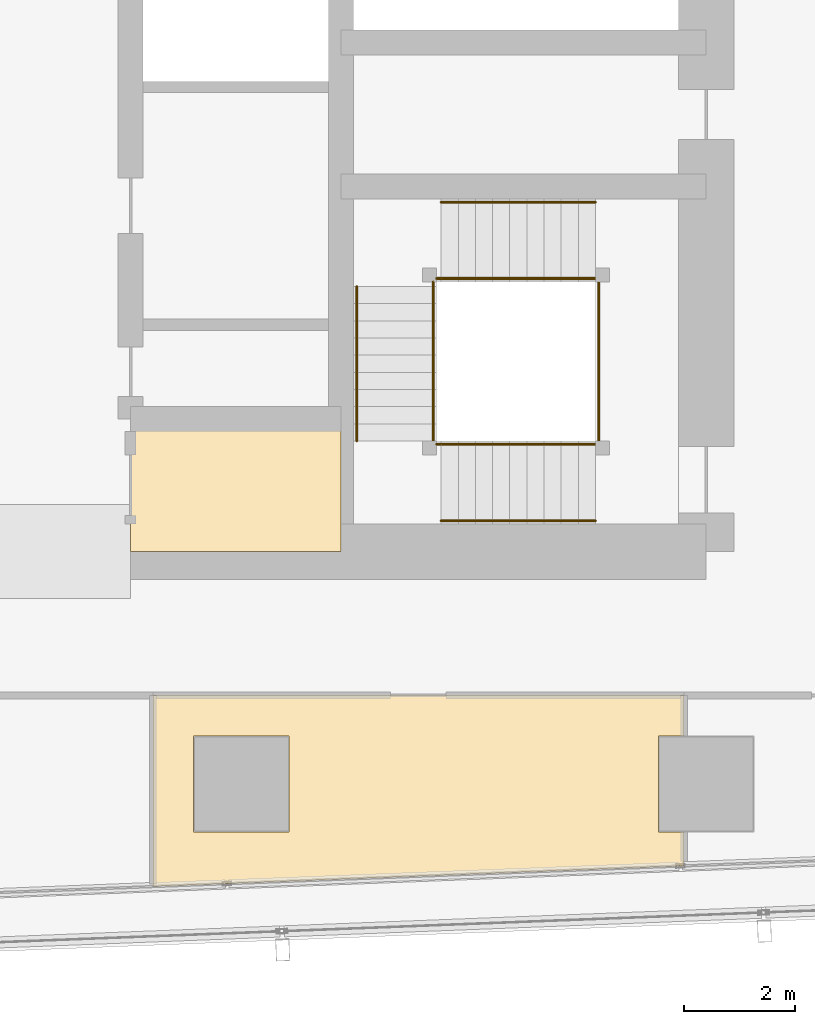
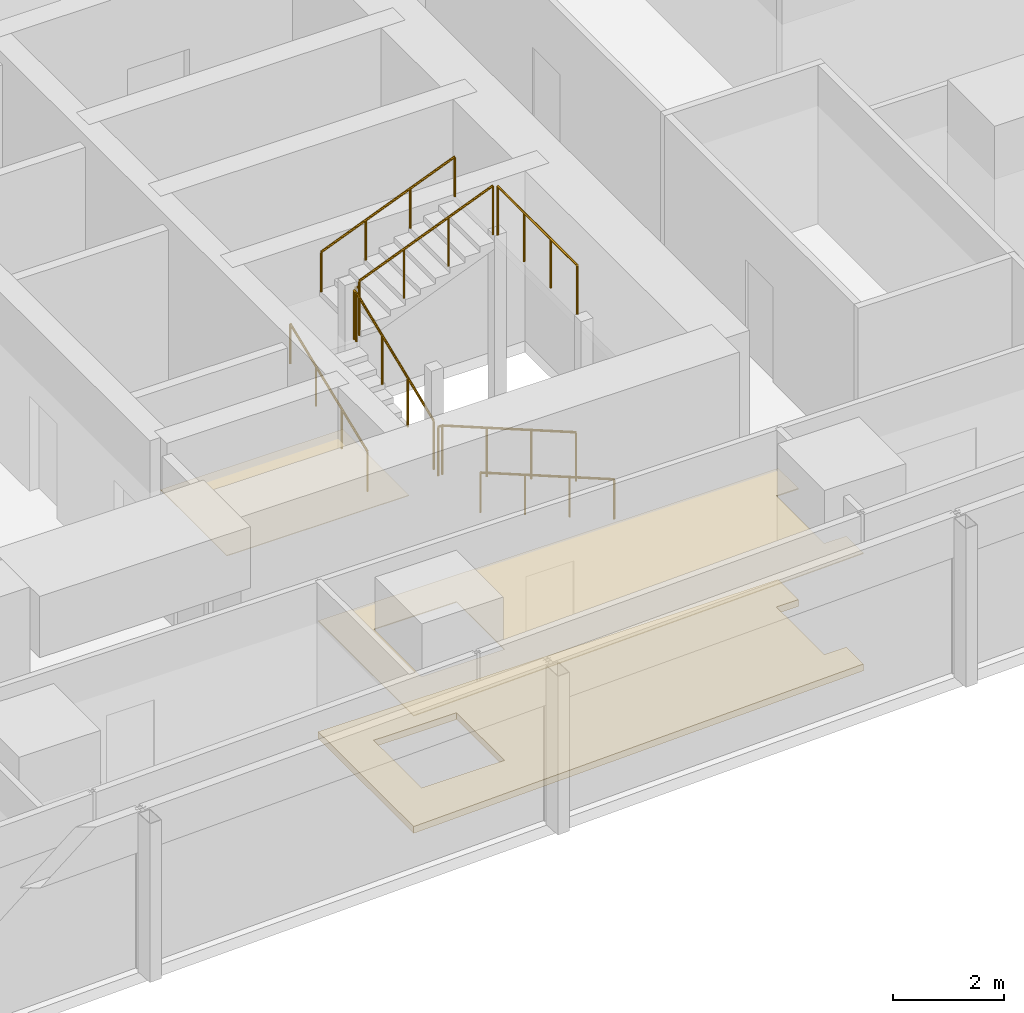
# One storey, part 37 of 40: 10 railings, 3 coverings.
"""IFC4 building model written with IfcOpenShell, lengths in metres."""

import ifcopenshell
import ifcopenshell.guid

model = None  # the IFC model being written
_history = None  # IfcOwnerHistory: only IFC2X3 demands one
_inside = {}  # id of a spatial element -> (the spatial element, [elements in it])
_under = {}  # id of a project, library or spatial element -> (it, [spatial elements below it])
_declared = {}  # id of a project -> (the project, [libraries it declares])
_typed = {}  # id of a type object -> (the type object, [elements of that type])
_made_of = {}  # id of a material, layer set ... -> (it, [elements and type objects made of it])


def new_model(schema):
    """Start an empty IFC model of exactly this schema.

    Asked for "IFC4X3", IfcOpenShell would pick the latest addendum, in which some entities
    have other attributes; the version numbers below select the first issue.
    IFC2X3 requires an IfcOwnerHistory on every rooted entity: one is made here for all.
    """
    global model, _history
    if schema == "IFC4X3":
        model = ifcopenshell.file(schema_version=(4, 3, 0, 0))
    else:
        model = ifcopenshell.file(schema=schema)
    _inside.clear()
    _under.clear()
    _declared.clear()
    _typed.clear()
    _made_of.clear()
    _history = None
    if model.schema == "IFC2X3":
        org = make("IfcOrganization", Name="unknown")
        user = make(
            "IfcPersonAndOrganization",
            ThePerson=make("IfcPerson", FamilyName="unknown"),
            TheOrganization=org,
        )
        app = make(
            "IfcApplication",
            ApplicationDeveloper=org,
            Version="unknown",
            ApplicationFullName="unknown",
            ApplicationIdentifier="unknown",
        )
        _history = make(
            "IfcOwnerHistory",
            OwningUser=user,
            OwningApplication=app,
            ChangeAction="ADDED",
            CreationDate=0,
        )
    return model


def make(cls, **values):
    """One entity of the class cls with the attributes given. An attribute that is None is left unset."""
    return model.create_entity(
        cls, **{name: value for name, value in values.items() if value is not None}
    )


def rooted(cls, **values):
    """An entity with a GlobalId (a new one), such as an element, a storey or a relation."""
    return make(cls, GlobalId=ifcopenshell.guid.new(), OwnerHistory=_history, **values)


def si_unit(unit_type, name, prefix=None):
    """IfcSIUnit, for example si_unit("LENGTHUNIT", "METRE", prefix="MILLI")."""
    return make("IfcSIUnit", UnitType=unit_type, Prefix=prefix, Name=name)


def assignment(units):
    """IfcUnitAssignment: the units of a project."""
    return None if units is None else make("IfcUnitAssignment", Units=units)


def point(xyz):
    """IfcCartesianPoint."""
    return None if xyz is None else make("IfcCartesianPoint", Coordinates=xyz)


def direction(xyz):
    """IfcDirection."""
    return None if xyz is None else make("IfcDirection", DirectionRatios=xyz)


def frame(location, z_axis=None, x_axis=None):
    """IfcAxis2Placement3D, a coordinate frame: its origin and axes. An axis left out is left unset."""
    return make(
        "IfcAxis2Placement3D",
        Location=point(location),
        Axis=direction(z_axis),
        RefDirection=direction(x_axis),
    )


def frame_2d(location, x_axis=None):
    """IfcAxis2Placement2D, a coordinate frame in the plane: its origin and x axis."""
    return make(
        "IfcAxis2Placement2D", Location=point(location), RefDirection=direction(x_axis)
    )


def origin():
    """The frame at (0, 0, 0) with its axes left unset."""
    return frame((0.0, 0.0, 0.0))


def origin_2d():
    """The frame at (0, 0) in the plane with its x axis left unset."""
    return frame_2d((0.0, 0.0))


def place(relative_to, where):
    """IfcLocalPlacement: puts the frame where relative to a parent placement (None: the world)."""
    return make(
        "IfcLocalPlacement", PlacementRelTo=relative_to, RelativePlacement=where
    )


def context(
    kind, dimensions, precision=None, world=None, true_north=None, identifier=None
):
    """IfcGeometricRepresentationContext, for example the 3D "Model" context."""
    return make(
        "IfcGeometricRepresentationContext",
        ContextIdentifier=identifier,
        ContextType=kind,
        CoordinateSpaceDimension=dimensions,
        Precision=precision,
        WorldCoordinateSystem=world,
        TrueNorth=true_north,
    )


def subcontext(parent, identifier, kind, view, scale=None):
    """IfcGeometricRepresentationSubContext, for example "Body" below "Model"."""
    return make(
        "IfcGeometricRepresentationSubContext",
        ContextIdentifier=identifier,
        ContextType=kind,
        ParentContext=parent,
        TargetScale=scale,
        TargetView=view,
    )


def project(units=None, contexts=None):
    """IfcProject with its units and contexts."""
    return rooted(
        "IfcProject",
        Name="project",
        RepresentationContexts=contexts,
        UnitsInContext=assignment(units),
    )


def spatial(cls, under=None, at=None, **own):
    """A site, building, storey or space (cls), placed at a placement, below another one or the project."""
    s = rooted(cls, ObjectPlacement=at, **own)
    if under is not None:
        _under.setdefault(under.id(), (under, []))[1].append(s)
    return s


def polyline(points):
    """IfcPolyline through the points."""
    return make("IfcPolyline", Points=[point(p) for p in points])


def profile(cls, at=None, kind="AREA", **sizes):
    """A parametric profile (cls). Its sizes go by their IFC names, for example OverallWidth=200.0."""
    return make(cls, ProfileType=kind, Position=at, **sizes)


def circle(**sizes):
    """IfcCircleProfileDef."""
    return profile("IfcCircleProfileDef", **sizes)


def outline(outer, holes=None, kind="AREA"):
    """IfcArbitraryClosedProfileDef: a profile drawn as a closed curve; with holes, ...WithVoids."""
    if holes is None:
        return make("IfcArbitraryClosedProfileDef", ProfileType=kind, OuterCurve=outer)
    return make(
        "IfcArbitraryProfileDefWithVoids",
        ProfileType=kind,
        OuterCurve=outer,
        InnerCurves=holes,
    )


def extrude(swept, where, along, depth):
    """IfcExtrudedAreaSolid: the profile swept, set in the frame where, extruded along a direction by depth."""
    return make(
        "IfcExtrudedAreaSolid",
        SweptArea=swept,
        Position=where,
        ExtrudedDirection=direction(along),
        Depth=depth,
    )


def shape(context_of_items, identifier, shape_type, items):
    """IfcShapeRepresentation: the items that make up one representation, for example the "Body"."""
    return make(
        "IfcShapeRepresentation",
        ContextOfItems=context_of_items,
        RepresentationIdentifier=identifier,
        RepresentationType=shape_type,
        Items=items,
    )


def material(Name=None, Category=None):
    """IfcMaterial."""
    return make("IfcMaterial", Name=Name, Category=Category)


def layer(
    of_material, thickness, ventilated=None, Name=None, Category=None, Priority=None
):
    """IfcMaterialLayer: one layer of a wall or slab, of a material (None: an air gap)."""
    return make(
        "IfcMaterialLayer",
        Material=of_material,
        LayerThickness=thickness,
        IsVentilated=ventilated,
        Name=Name,
        Category=Category,
        Priority=Priority,
    )


def layer_set(layers, Name=None):
    """IfcMaterialLayerSet."""
    return make("IfcMaterialLayerSet", MaterialLayers=layers, LayerSetName=Name)


def made_of(thing, what):
    """Note that an element or type object is made of a material, layer set ...; save() writes the relation."""
    if what is not None:
        _made_of.setdefault(what.id(), (what, []))[1].append(thing)
    return thing


def type_object(cls, material=None, **own):
    """A type object (cls), such as IfcWallType, which elements share."""
    return made_of(rooted(cls, **own), material)


def element(
    cls,
    number,
    at=None,
    inside=None,
    cuts=None,
    type_object=None,
    material=None,
    context=None,
    identifier="Body",
    shape_type=None,
    held_by="IfcProductDefinitionShape",
    body=None,
    shapes=None,
    **own,
):
    """One element of the class cls, such as IfcWall. Its Tag is "e" and its number.

    at: its placement. inside: the storey or other place that contains it. cuts: it is an
    opening in that element (IfcRelVoidsElement). A single representation is given by context,
    identifier, shape_type and body (its items); several are given by shapes. held_by: the class
    of the entity that holds the representations. save() writes the other relations.
    """
    e = rooted(cls, Tag="e%d" % number, ObjectPlacement=at, **own)
    if body is not None:
        shapes = [shape(context, identifier, shape_type, body)]
    if shapes is not None:
        e.Representation = make(held_by, Representations=shapes)
    if inside is not None:
        _inside.setdefault(inside.id(), (inside, []))[1].append(e)
    if cuts is not None:
        rooted(
            "IfcRelVoidsElement", RelatingBuildingElement=cuts, RelatedOpeningElement=e
        )
    if type_object is not None:
        _typed.setdefault(type_object.id(), (type_object, []))[1].append(e)
    return made_of(e, material)


def aggregate(whole, parts):
    """IfcRelAggregates: a whole, such as a stair, and the parts it consists of."""
    return rooted("IfcRelAggregates", RelatingObject=whole, RelatedObjects=parts)


def save(model, path):
    """Write the relations noted so far, then the file.

    IfcRelAggregates (storeys below a building ...), IfcRelContainedInSpatialStructure (elements
    in a storey), IfcRelDefinesByType, IfcRelAssociatesMaterial and IfcRelDeclares: one each for
    every whole, place, type object, material and project.
    """
    for whole, parts in _under.values():
        aggregate(whole, parts)
    for where, things in _inside.values():
        rooted(
            "IfcRelContainedInSpatialStructure",
            RelatedElements=things,
            RelatingStructure=where,
        )
    for kind, things in _typed.values():
        rooted("IfcRelDefinesByType", RelatedObjects=things, RelatingType=kind)
    for what, things in _made_of.values():
        rooted("IfcRelAssociatesMaterial", RelatedObjects=things, RelatingMaterial=what)
    for by, libraries in _declared.values():
        rooted("IfcRelDeclares", RelatingContext=by, RelatedDefinitions=libraries)
    model.write(path)


model = new_model("IFC4")

# Units and contexts
model_context = context("Model", 3, precision=1e-05, world=origin(), true_north=direction((0.0, 1.0)))
body_context = subcontext(model_context, "Body", "Model", "MODEL_VIEW")
ifc_project = project(units=[si_unit("LENGTHUNIT", "METRE"), si_unit("AREAUNIT", "SQUARE_METRE"), si_unit("VOLUMEUNIT", "CUBIC_METRE"), si_unit("PLANEANGLEUNIT", "RADIAN"), si_unit("MASSUNIT", "GRAM", prefix="KILO")], contexts=[model_context])

# Site, building, storey
site_placement = place(None, origin())
site = spatial("IfcSite", under=ifc_project, at=site_placement, CompositionType="ELEMENT")
building_placement = place(site_placement, origin())
building = spatial("IfcBuilding", under=site, at=building_placement, Name="Rekha Terrace Tower", CompositionType="ELEMENT")
storey_placement = place(building_placement, frame((0.0, 0.0, 129.050048828125)))
storey = spatial("IfcBuildingStorey", under=building, at=storey_placement, Name="L32", CompositionType="ELEMENT", Elevation=129.050048828125)

# Coverings
ifc_material_1 = material(Name="Mineral fibre tile in exposed grid", Category="finish")
ifc_layer_1 = layer(ifc_material_1, 0.02001953125)
ifc_layer_set_1 = layer_set([ifc_layer_1], Name="Mineral fibre tile in exposed grid")
covering_type_1 = type_object("IfcCoveringType", Name="CL1 600x1200 office grid ceiling", PredefinedType="CEILING", material=ifc_layer_set_1)
covering_1_placement = place(storey_placement, frame((0.0, 0.0, 2.579833984375)))
element("IfcCovering", 1, at=covering_1_placement, inside=storey, type_object=covering_type_1, Name="Ceiling L32-11", PredefinedType="CEILING", context=body_context, shape_type="SweptSolid", body=[
    extrude(outline(polyline([(40.40087890625, 18.39990234375), (40.40087890625, 14.947998046875), (49.998046875, 15.321044921875), (49.998046875, 15.93505859375), (49.534912109375, 15.93505859375), (49.534912109375, 17.6650390625), (49.998046875, 17.6650390625), (49.998046875, 18.39990234375), (40.40087890625, 18.39990234375)]), holes=[polyline([(42.864990234375, 17.6650390625), (42.864990234375, 15.93505859375), (41.135009765625, 15.93505859375), (41.135009765625, 17.6650390625), (42.864990234375, 17.6650390625)])]), origin(), (0.0, 0.0, 1.0), 0.02001953125),
])
ifc_material_2 = material(Name="Fibre cement board", Category="finish")
ifc_layer_2 = layer(ifc_material_2, 0.014892578125)
ifc_layer_set_2 = layer_set([ifc_layer_2], Name="Fibre cement board")
covering_type_2 = type_object("IfcCoveringType", Name="CL2 moisture-resistant board ceiling", PredefinedType="CEILING", material=ifc_layer_set_2)
covering_2_placement = place(storey_placement, frame((0.0, 0.0, 2.5849609375)))
element("IfcCovering", 2, at=covering_2_placement, inside=storey, type_object=covering_type_2, Name="Ceiling L32-WCA", PredefinedType="CEILING", context=body_context, shape_type="SweptSolid", body=[
    extrude(outline(polyline([(43.800048828125, 23.39990234375), (40.0, 23.39990234375), (40.0, 21.0), (43.800048828125, 21.0), (43.800048828125, 23.39990234375)])), origin(), (0.0, 0.0, 1.0), 0.014892578125),
])

# Railings
ifc_material_3 = material(Name="Stainless steel balustrade", Category="steel")
railing_type_1 = type_object("IfcRailingType", Name="GR1 1100 stair guard", PredefinedType="GUARDRAIL", material=ifc_material_3)
railing_1_placement = place(storey_placement, frame((48.39990234375, 22.93994140625, 0.125)))
element("IfcRailing", 3, at=railing_1_placement, inside=storey, type_object=railing_type_1, Name="Guard ST3 L32 flight 1", PredefinedType="GUARDRAIL", context=body_context, shape_type="SweptSolid", body=[
    extrude(circle(Radius=0.02392578125, at=origin_2d()), frame((0.0, 0.0, 1.076171875), z_axis=(-0.927431937212, 0.0, 0.373991980981), x_axis=(0.0, -1.0, 0.0)), (0.0, 0.0, 1.0), 3.008056640625),
    extrude(circle(Radius=0.02099609375, at=origin_2d()), origin(), (0.0, 0.0, 1.0), 1.052001953125),
    extrude(circle(Radius=0.02099609375, at=origin_2d()), frame((-0.929931640625, 0.0, 0.375)), (0.0, 0.0, 1.0), 1.052001953125),
    extrude(circle(Radius=0.02099609375, at=origin_2d()), frame((-1.85986328125, 0.0, 0.75)), (0.0, 0.0, 1.0), 1.052001953125),
    extrude(circle(Radius=0.02099609375, at=origin_2d()), frame((-2.789794921875, 0.0, 1.125)), (0.0, 0.0, 1.0), 1.052001953125),
])
railing_2_placement = place(storey_placement, frame((45.465087890625, 23.0, 1.375)))
element("IfcRailing", 4, at=railing_2_placement, inside=storey, type_object=railing_type_1, Name="Guard ST3 L32 flight 2", PredefinedType="GUARDRAIL", context=body_context, shape_type="SweptSolid", body=[
    extrude(circle(Radius=0.02392578125, at=origin_2d()), frame((0.0, 0.0, 1.076171875), z_axis=(0.0, 0.927443287984, 0.373963831907), x_axis=(-1.0, 0.0, 0.0)), (0.0, 0.0, 1.0), 3.00830078125),
    extrude(circle(Radius=0.02099609375, at=origin_2d()), origin(), (0.0, 0.0, 1.0), 1.052001953125),
    extrude(circle(Radius=0.02099609375, at=origin_2d()), frame((0.0, 0.929931640625, 0.375)), (0.0, 0.0, 1.0), 1.052001953125),
    extrude(circle(Radius=0.02099609375, at=origin_2d()), frame((0.0, 1.860107421875, 0.75)), (0.0, 0.0, 1.0), 1.052001953125),
    extrude(circle(Radius=0.02099609375, at=origin_2d()), frame((0.0, 2.7900390625, 1.125)), (0.0, 0.0, 1.0), 1.052001953125),
])
railing_3_placement = place(storey_placement, frame((45.610107421875, 25.93505859375, 2.625)))
element("IfcRailing", 5, at=railing_3_placement, inside=storey, type_object=railing_type_1, Name="Guard ST3 L32 flight 3", PredefinedType="GUARDRAIL", context=body_context, shape_type="SweptSolid", body=[
    extrude(circle(Radius=0.02392578125, at=origin_2d()), frame((0.0, 0.0, 1.076171875), z_axis=(0.927431937212, 0.0, 0.373991980981), x_axis=(0.0, 1.0, 0.0)), (0.0, 0.0, 1.0), 3.008056640625),
    extrude(circle(Radius=0.02099609375, at=origin_2d()), origin(), (0.0, 0.0, 1.0), 1.052001953125),
    extrude(circle(Radius=0.02099609375, at=origin_2d()), frame((0.929931640625, 0.0, 0.375)), (0.0, 0.0, 1.0), 1.052001953125),
    extrude(circle(Radius=0.02099609375, at=origin_2d()), frame((1.85986328125, 0.0, 0.75)), (0.0, 0.0, 1.0), 1.052001953125),
    extrude(circle(Radius=0.02099609375, at=origin_2d()), frame((2.789794921875, 0.0, 1.125)), (0.0, 0.0, 1.0), 1.052001953125),
])
railing_4_placement = place(storey_placement, frame((45.610107421875, 22.93994140625, 1.25)))
element("IfcRailing", 6, at=railing_4_placement, inside=storey, type_object=railing_type_1, Name="Guard ST3 L32 landing 1", PredefinedType="GUARDRAIL", context=body_context, shape_type="SweptSolid", body=[
    extrude(circle(Radius=0.02392578125, at=origin_2d()), frame((0.0, 0.0, 1.076171875), z_axis=(-1.0, 0.0, 0.0), x_axis=(0.0, -1.0, 0.0)), (0.0, 0.0, 1.0), 0.085205078125),
    extrude(circle(Radius=0.02099609375, at=origin_2d()), origin(), (0.0, 0.0, 1.0), 1.052001953125),
    extrude(circle(Radius=0.02099609375, at=origin_2d()), frame((-0.085205078125, 0.0, 0.0)), (0.0, 0.0, 1.0), 1.052001953125),
])
railing_5_placement = place(storey_placement, frame((45.465087890625, 25.7900390625, 2.5)))
element("IfcRailing", 7, at=railing_5_placement, inside=storey, type_object=railing_type_1, Name="Guard ST3 L32 landing 2", PredefinedType="GUARDRAIL", context=body_context, shape_type="SweptSolid", body=[
    extrude(circle(Radius=0.02392578125, at=origin_2d()), frame((0.0, 0.0, 1.076171875), z_axis=(0.0, 1.0, 0.0), x_axis=(-1.0, 0.0, 0.0)), (0.0, 0.0, 1.0), 0.0849609375),
    extrude(circle(Radius=0.02099609375, at=origin_2d()), origin(), (0.0, 0.0, 1.0), 1.052001953125),
    extrude(circle(Radius=0.02099609375, at=origin_2d()), frame((0.0, 0.0849609375, 0.0)), (0.0, 0.0, 1.0), 1.052001953125),
])
railing_6_placement = place(storey_placement, frame((45.610107421875, 25.93505859375, 2.5)))
element("IfcRailing", 8, at=railing_6_placement, inside=storey, type_object=railing_type_1, Name="Guard ST3 L32 landing 3", PredefinedType="GUARDRAIL", context=body_context, shape_type="SweptSolid", body=[
    extrude(circle(Radius=0.02392578125, at=origin_2d()), frame((0.0, 0.0, 1.076171875), z_axis=(-1.0, 0.0, 0.0), x_axis=(0.0, -1.0, 0.0)), (0.0, 0.0, 1.0), 0.085205078125),
    extrude(circle(Radius=0.02099609375, at=origin_2d()), origin(), (0.0, 0.0, 1.0), 1.052001953125),
    extrude(circle(Radius=0.02099609375, at=origin_2d()), frame((-0.085205078125, 0.0, 0.0)), (0.0, 0.0, 1.0), 1.052001953125),
])
railing_7_placement = place(storey_placement, frame((48.4599609375, 23.0, 3.75)))
element("IfcRailing", 9, at=railing_7_placement, inside=storey, type_object=railing_type_1, Name="Guard ST3 L32 landing 4", PredefinedType="GUARDRAIL", context=body_context, shape_type="SweptSolid", body=[
    extrude(circle(Radius=0.02392578125, at=origin_2d()), frame((0.0, 0.0, 1.076171875), z_axis=(0.0, 1.0, 0.0), x_axis=(-1.0, 0.0, 0.0)), (0.0, 0.0, 1.0), 2.875),
    extrude(circle(Radius=0.02099609375, at=origin_2d()), origin(), (0.0, 0.0, 1.0), 1.052001953125),
    extrude(circle(Radius=0.02099609375, at=origin_2d()), frame((0.0, 0.958251953125, 0.0)), (0.0, 0.0, 1.0), 1.052001953125),
    extrude(circle(Radius=0.02099609375, at=origin_2d()), frame((0.0, 1.916748046875, 0.0)), (0.0, 0.0, 1.0), 1.052001953125),
    extrude(circle(Radius=0.02099609375, at=origin_2d()), frame((0.0, 2.875, 0.0)), (0.0, 0.0, 1.0), 1.052001953125),
])
ifc_material_4 = material(Name="Stainless steel tube", Category="steel")
railing_type_2 = type_object("IfcRailingType", Name="HR1 900 stair handrail", PredefinedType="HANDRAIL", material=ifc_material_4)
railing_8_placement = place(storey_placement, frame((48.39990234375, 21.56005859375, 0.125)))
element("IfcRailing", 10, at=railing_8_placement, inside=storey, type_object=railing_type_2, Name="Handrail ST3 L32 flight 1", PredefinedType="HANDRAIL", context=body_context, shape_type="SweptSolid", body=[
    extrude(circle(Radius=0.02392578125, at=origin_2d()), frame((0.0, 0.0, 0.8759765625), z_axis=(-0.927431937212, 0.0, 0.373991980981), x_axis=(0.0, -1.0, 0.0)), (0.0, 0.0, 1.0), 3.008056640625),
    extrude(circle(Radius=0.02099609375, at=origin_2d()), origin(), (0.0, 0.0, 1.0), 0.851806640625),
    extrude(circle(Radius=0.02099609375, at=origin_2d()), frame((-0.929931640625, 0.0, 0.375)), (0.0, 0.0, 1.0), 0.851806640625),
    extrude(circle(Radius=0.02099609375, at=origin_2d()), frame((-1.85986328125, 0.0, 0.75)), (0.0, 0.0, 1.0), 0.851806640625),
    extrude(circle(Radius=0.02099609375, at=origin_2d()), frame((-2.789794921875, 0.0, 1.125)), (0.0, 0.0, 1.0), 0.851806640625),
])
railing_9_placement = place(storey_placement, frame((44.0849609375, 23.0, 1.375)))
element("IfcRailing", 11, at=railing_9_placement, inside=storey, type_object=railing_type_2, Name="Handrail ST3 L32 flight 2", PredefinedType="HANDRAIL", context=body_context, shape_type="SweptSolid", body=[
    extrude(circle(Radius=0.02392578125, at=origin_2d()), frame((0.0, 0.0, 0.8759765625), z_axis=(0.0, 0.927443287984, 0.373963831907), x_axis=(-1.0, 0.0, 0.0)), (0.0, 0.0, 1.0), 3.00830078125),
    extrude(circle(Radius=0.02099609375, at=origin_2d()), origin(), (0.0, 0.0, 1.0), 0.851806640625),
    extrude(circle(Radius=0.02099609375, at=origin_2d()), frame((0.0, 0.929931640625, 0.375)), (0.0, 0.0, 1.0), 0.851806640625),
    extrude(circle(Radius=0.02099609375, at=origin_2d()), frame((0.0, 1.860107421875, 0.75)), (0.0, 0.0, 1.0), 0.851806640625),
    extrude(circle(Radius=0.02099609375, at=origin_2d()), frame((0.0, 2.7900390625, 1.125)), (0.0, 0.0, 1.0), 0.851806640625),
])
railing_10_placement = place(storey_placement, frame((45.610107421875, 27.31494140625, 2.625)))
element("IfcRailing", 12, at=railing_10_placement, inside=storey, type_object=railing_type_2, Name="Handrail ST3 L32 flight 3", PredefinedType="HANDRAIL", context=body_context, shape_type="SweptSolid", body=[
    extrude(circle(Radius=0.02392578125, at=origin_2d()), frame((0.0, 0.0, 0.8759765625), z_axis=(0.927431937212, 0.0, 0.373991980981), x_axis=(0.0, 1.0, 0.0)), (0.0, 0.0, 1.0), 3.008056640625),
    extrude(circle(Radius=0.02099609375, at=origin_2d()), origin(), (0.0, 0.0, 1.0), 0.851806640625),
    extrude(circle(Radius=0.02099609375, at=origin_2d()), frame((0.929931640625, 0.0, 0.375)), (0.0, 0.0, 1.0), 0.851806640625),
    extrude(circle(Radius=0.02099609375, at=origin_2d()), frame((1.85986328125, 0.0, 0.75)), (0.0, 0.0, 1.0), 0.851806640625),
    extrude(circle(Radius=0.02099609375, at=origin_2d()), frame((2.789794921875, 0.0, 1.125)), (0.0, 0.0, 1.0), 0.851806640625),
])

# Covering
ifc_material_5 = material(Name="Calcium sulphate panels on steel pedestals", Category="steel")
ifc_layer_3 = layer(ifc_material_5, 0.14990234375)
ifc_layer_set_3 = layer_set([ifc_layer_3], Name="Calcium sulphate panels on steel pedestals")
covering_type_3 = type_object("IfcCoveringType", Name="RF1 150 raised access floor", PredefinedType="FLOORING", material=ifc_layer_set_3)
covering_3_placement = place(storey_placement, origin())
element("IfcCovering", 13, at=covering_3_placement, inside=storey, type_object=covering_type_3, Name="Raised floor L32-11", PredefinedType="FLOORING", context=body_context, shape_type="SweptSolid", body=[
    extrude(outline(polyline([(40.40087890625, 18.39990234375), (40.40087890625, 14.947998046875), (49.998046875, 15.321044921875), (49.998046875, 15.93505859375), (49.534912109375, 15.93505859375), (49.534912109375, 17.6650390625), (49.998046875, 17.6650390625), (49.998046875, 18.39990234375), (40.40087890625, 18.39990234375)]), holes=[polyline([(42.864990234375, 17.6650390625), (42.864990234375, 15.93505859375), (41.135009765625, 15.93505859375), (41.135009765625, 17.6650390625), (42.864990234375, 17.6650390625)])]), origin(), (0.0, 0.0, 1.0), 0.14990234375),
])

save(model, "model.ifc")
